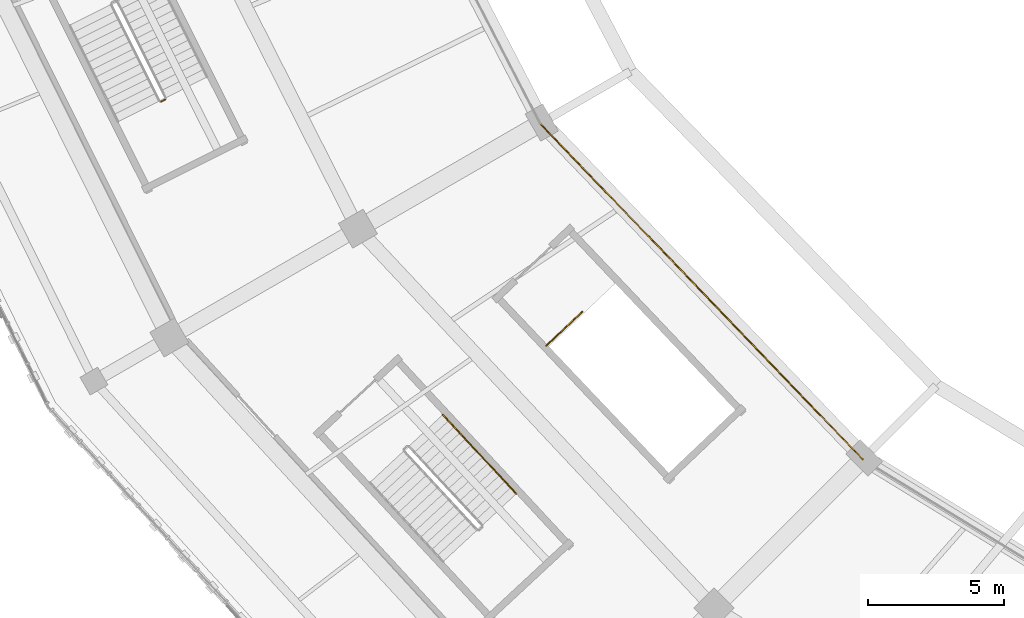
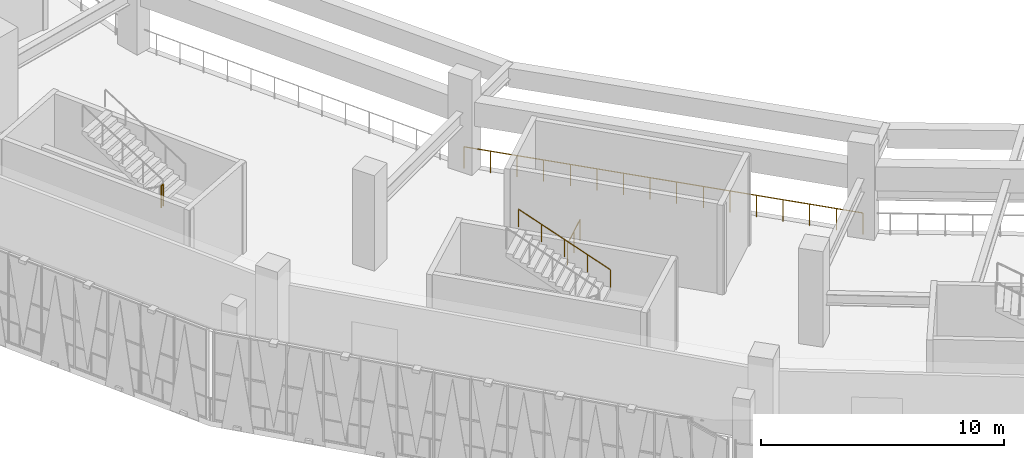
# One storey, part 130 of 179: 4 railings.
"""IFC4 building model written with IfcOpenShell, lengths in metres."""

from ifc_helpers import new_model, si_unit, direction, frame, origin, origin_2d, place, context, subcontext, project, spatial, circle, extrude, material, type_object, element, save


model = new_model("IFC4")

# Units and contexts
model_context = context("Model", 3, precision=1e-05, world=origin(), true_north=direction((0.0, 1.0)))
body_context = subcontext(model_context, "Body", "Model", "MODEL_VIEW")
ifc_project = project(units=[si_unit("LENGTHUNIT", "METRE"), si_unit("AREAUNIT", "SQUARE_METRE"), si_unit("VOLUMEUNIT", "CUBIC_METRE"), si_unit("PLANEANGLEUNIT", "RADIAN"), si_unit("MASSUNIT", "GRAM", prefix="KILO")], contexts=[model_context])

# Site, building, storey
site_placement = place(None, origin())
site = spatial("IfcSite", under=ifc_project, at=site_placement, CompositionType="ELEMENT")
building_placement = place(site_placement, origin())
building = spatial("IfcBuilding", under=site, at=building_placement, Name="Zevraka Park Crest Stadium", CompositionType="ELEMENT")
storey_placement = place(building_placement, frame((0.0, 0.0, 10.199951171875)))
storey = spatial("IfcBuildingStorey", under=building, at=storey_placement, Name="L02", CompositionType="ELEMENT", Elevation=10.199951171875)

# Railings
ifc_material_1 = material(Name="Galvanised and bronze-finished steel balustrade", Category="steel")
railing_type_1 = type_object("IfcRailingType", Name="GR01", PredefinedType="GUARDRAIL", material=ifc_material_1)
railing_1_placement = place(storey_placement, frame((47.426025390625, 62.20703125, 0.0)))
element("IfcRailing", 1, at=railing_1_placement, inside=storey, type_object=railing_type_1, Name="Deck Edge Protection Guardrail GR01 L02-77", PredefinedType="GUARDRAIL", context=body_context, shape_type="SweptSolid", body=[
    extrude(circle(Radius=0.02392578125, at=origin_2d()), frame((0.0, 0.0, 1.076171875), z_axis=(0.692851993629, -0.721079825625, 0.0), x_axis=(0.721079825625, 0.692851993629, 0.0)), (0.0, 0.0, 1.0), 17.107666015625),
    extrude(circle(Radius=0.02099609375, at=origin_2d()), origin(), (0.0, 0.0, 1.0), 1.052001953125),
    extrude(circle(Radius=0.02099609375, at=origin_2d()), frame((0.790283203125, -0.822509765625, 0.0)), (0.0, 0.0, 1.0), 1.052001953125),
    extrude(circle(Radius=0.02099609375, at=origin_2d()), frame((1.580322265625, -1.644775390625, 0.0)), (0.0, 0.0, 1.0), 1.052001953125),
    extrude(circle(Radius=0.02099609375, at=origin_2d()), frame((2.37060546875, -2.46728515625, 0.0)), (0.0, 0.0, 1.0), 1.052001953125),
    extrude(circle(Radius=0.02099609375, at=origin_2d()), frame((3.160888671875, -3.28955078125, 0.0)), (0.0, 0.0, 1.0), 1.052001953125),
    extrude(circle(Radius=0.02099609375, at=origin_2d()), frame((3.950927734375, -4.112060546875, 0.0)), (0.0, 0.0, 1.0), 1.052001953125),
    extrude(circle(Radius=0.02099609375, at=origin_2d()), frame((4.7412109375, -4.934326171875, 0.0)), (0.0, 0.0, 1.0), 1.052001953125),
    extrude(circle(Radius=0.02099609375, at=origin_2d()), frame((5.531494140625, -5.7568359375, 0.0)), (0.0, 0.0, 1.0), 1.052001953125),
    extrude(circle(Radius=0.02099609375, at=origin_2d()), frame((6.321533203125, -6.5791015625, 0.0)), (0.0, 0.0, 1.0), 1.052001953125),
    extrude(circle(Radius=0.02099609375, at=origin_2d()), frame((7.11181640625, -7.401611328125, 0.0)), (0.0, 0.0, 1.0), 1.052001953125),
    extrude(circle(Radius=0.02099609375, at=origin_2d()), frame((7.902099609375, -8.223876953125, 0.0)), (0.0, 0.0, 1.0), 1.052001953125),
    extrude(circle(Radius=0.02099609375, at=origin_2d()), frame((8.692138671875, -9.04638671875, 0.0)), (0.0, 0.0, 1.0), 1.052001953125),
    extrude(circle(Radius=0.02099609375, at=origin_2d()), frame((9.482421875, -9.86865234375, 0.0)), (0.0, 0.0, 1.0), 1.052001953125),
    extrude(circle(Radius=0.02099609375, at=origin_2d()), frame((10.272705078125, -10.691162109375, 0.0)), (0.0, 0.0, 1.0), 1.052001953125),
    extrude(circle(Radius=0.02099609375, at=origin_2d()), frame((11.062744140625, -11.513427734375, 0.0)), (0.0, 0.0, 1.0), 1.052001953125),
    extrude(circle(Radius=0.02099609375, at=origin_2d()), frame((11.85302734375, -12.3359375, 0.0)), (0.0, 0.0, 1.0), 1.052001953125),
])
ifc_material_2 = material(Name="Powder-coated tubular steel stairwell guard", Category="steel")
railing_type_2 = type_object("IfcRailingType", Name="GR03", PredefinedType="GUARDRAIL", material=ifc_material_2)
railing_2_placement = place(storey_placement, frame((33.49658203125, 63.019287109375, 2.400146484375)))
element("IfcRailing", 2, at=railing_2_placement, inside=storey, type_object=railing_type_2, Name="L02 ST14 stair guard 2", PredefinedType="GUARDRAIL", context=body_context, shape_type="SweptSolid", body=[
    extrude(circle(Radius=0.02392578125, at=origin_2d()), frame((0.0, 0.0, 1.076171875), z_axis=(0.893816245171, 0.44843340628, 0.0), x_axis=(-0.44843340628, 0.893816245171, 0.0)), (0.0, 0.0, 1.0), 0.16015625),
    extrude(circle(Radius=0.02099609375, at=origin_2d()), origin(), (0.0, 0.0, 1.0), 1.052001953125),
    extrude(circle(Radius=0.02099609375, at=origin_2d()), frame((0.14306640625, 0.07177734375, 0.0)), (0.0, 0.0, 1.0), 1.052001953125),
])
railing_3_placement = place(storey_placement, frame((47.64990234375, 54.049072265625, 0.0)))
element("IfcRailing", 3, at=railing_3_placement, inside=storey, type_object=railing_type_2, Name="L02 ST40 top well guard 1", PredefinedType="GUARDRAIL", context=body_context, shape_type="SweptSolid", body=[
    extrude(circle(Radius=0.02392578125, at=origin_2d()), frame((0.0, 0.0, 1.076171875), z_axis=(0.725410162473, 0.6883168574, 0.0), x_axis=(-0.6883168574, 0.725410162473, 0.0)), (0.0, 0.0, 1.0), 1.81005859375),
    extrude(circle(Radius=0.02099609375, at=origin_2d()), origin(), (0.0, 0.0, 1.0), 1.052001953125),
    extrude(circle(Radius=0.02099609375, at=origin_2d()), frame((0.656494140625, 0.623046875, 0.0)), (0.0, 0.0, 1.0), 1.052001953125),
    extrude(circle(Radius=0.02099609375, at=origin_2d()), frame((1.31298828125, 1.245849609375, 0.0)), (0.0, 0.0, 1.0), 1.052001953125),
])
ifc_material_3 = material(Name="Brushed stainless steel continuous handrail", Category="steel")
railing_type_3 = type_object("IfcRailingType", Name="HR01", PredefinedType="HANDRAIL", material=ifc_material_3)
railing_4_placement = place(storey_placement, frame((46.544189453125, 48.609130859375, 2.571533203125)))
element("IfcRailing", 4, at=railing_4_placement, inside=storey, type_object=railing_type_3, Name="L02 ST15 stair handrail 2", PredefinedType="HANDRAIL", context=body_context, shape_type="SweptSolid", body=[
    extrude(circle(Radius=0.02392578125, at=origin_2d()), frame((0.0, 0.0, 0.8759765625), z_axis=(-0.593016024023, 0.638962957094, 0.489957482557), x_axis=(-0.732968909084, -0.680262139412, 0.0)), (0.0, 0.0, 1.0), 4.54833984375),
    extrude(circle(Radius=0.02099609375, at=origin_2d()), origin(), (0.0, 0.0, 1.0), 0.851806640625),
    extrude(circle(Radius=0.02099609375, at=origin_2d()), frame((-0.67431640625, 0.7265625, 0.55712890625)), (0.0, 0.0, 1.0), 0.851806640625),
    extrude(circle(Radius=0.02099609375, at=origin_2d()), frame((-1.3486328125, 1.453125, 1.1142578125)), (0.0, 0.0, 1.0), 0.851806640625),
    extrude(circle(Radius=0.02099609375, at=origin_2d()), frame((-2.02294921875, 2.1796875, 1.67138671875)), (0.0, 0.0, 1.0), 0.851806640625),
    extrude(circle(Radius=0.02099609375, at=origin_2d()), frame((-2.697265625, 2.90625, 2.228515625)), (0.0, 0.0, 1.0), 0.851806640625),
])

save(model, "model.ifc")
